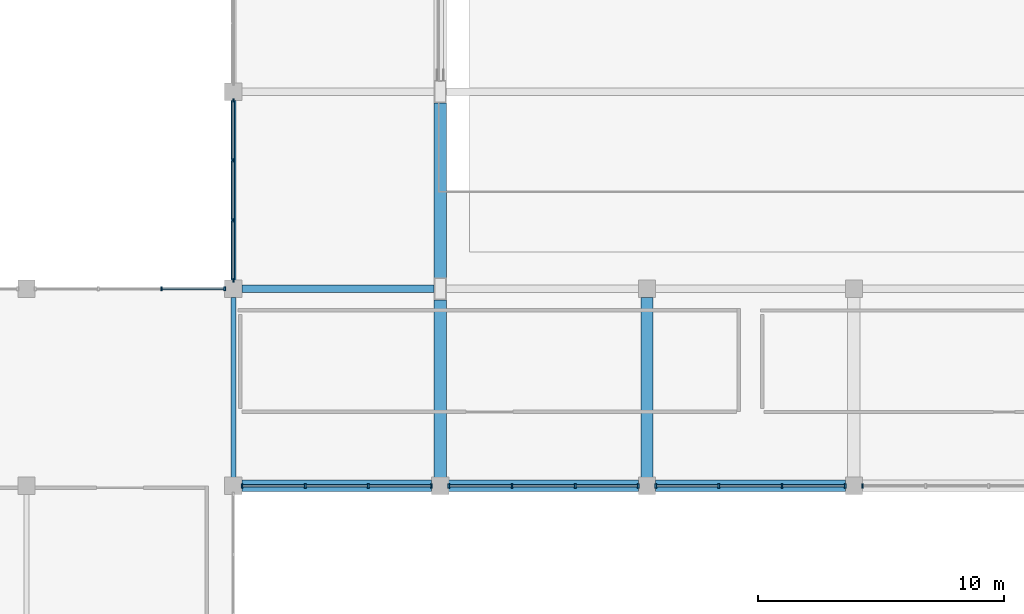
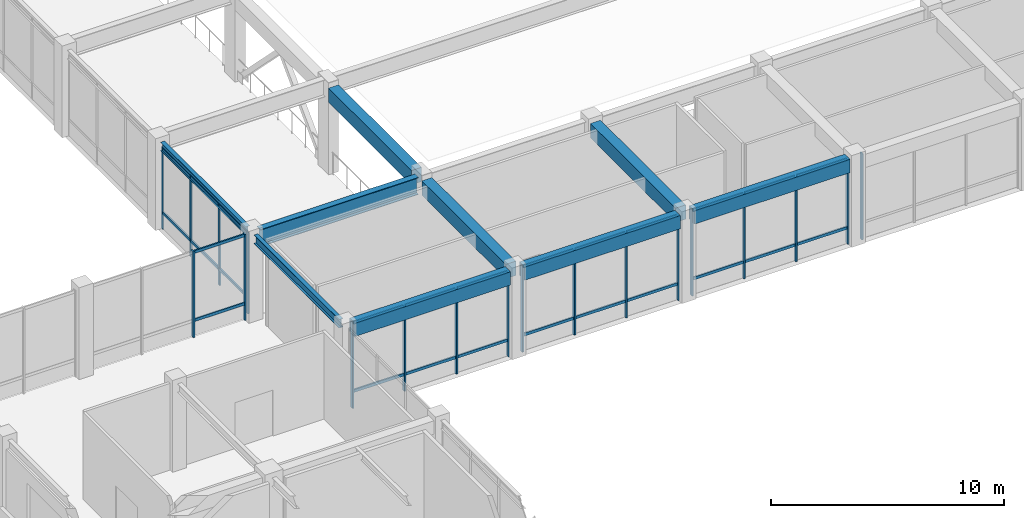
# One storey, part 32 of 76: 45 members, 9 beams, 6 elements without a shape of their own.
"""IFC4 building model written with IfcOpenShell, lengths in metres."""

from ifc_helpers import new_model, si_unit, direction, frame, origin, origin_2d, place, context, subcontext, project, spatial, rectangle, i_section, extrude, material, layer, layer_set, material_profile, profile_set, type_object, element, aggregate, save


model = new_model("IFC4")

# Units and contexts
model_context = context("Model", 3, precision=1e-05, world=origin(), true_north=direction((0.0, 1.0)))
body_context = subcontext(model_context, "Body", "Model", "MODEL_VIEW")
ifc_project = project(units=[si_unit("LENGTHUNIT", "METRE"), si_unit("AREAUNIT", "SQUARE_METRE"), si_unit("VOLUMEUNIT", "CUBIC_METRE"), si_unit("PLANEANGLEUNIT", "RADIAN"), si_unit("MASSUNIT", "GRAM", prefix="KILO")], contexts=[model_context])

# Site, building, storey
site_placement = place(None, origin())
site = spatial("IfcSite", under=ifc_project, at=site_placement, CompositionType="ELEMENT")
building_placement = place(site_placement, origin())
building = spatial("IfcBuilding", under=site, at=building_placement, Name="Naruveol Harbour Congress Hotel", CompositionType="ELEMENT")
storey_placement = place(building_placement, frame((0.0, 0.0, 11.39990234375)))
storey = spatial("IfcBuildingStorey", under=building, at=storey_placement, Name="L02", CompositionType="ELEMENT", Elevation=11.39990234375)

# Beams
ifc_material_1 = material(Name="Concrete C40/50", Category="concrete")
ifc_material_profile_1 = material_profile(ifc_material_1, rectangle(XDim=0.5, YDim=0.75, at=origin_2d()), Name="RCB-500x750")
ifc_profile_set_1 = profile_set([ifc_material_profile_1], Name="Concrete C40/50")
beam_type_1 = type_object("IfcBeamType", Name="RC FLOOR GIRDER 500X750", PredefinedType="BEAM", material=ifc_profile_set_1)
beam_1_placement = place(storey_placement, frame((75.60009765625, 64.345947265625, 4.1650390625), z_axis=(0.0, 1.0, 0.0), x_axis=(-1.0, 0.0, 0.0)))
element("IfcBeam", 1, at=beam_1_placement, inside=storey, type_object=beam_type_1, Name="Transverse girder L03 CB3", PredefinedType="BEAM", context=body_context, shape_type="SweptSolid", body=[
    extrude(rectangle(XDim=0.5, YDim=0.75, at=origin_2d()), origin(), (0.0, 0.0, 1.0), 7.2080078125),
])
beam_2_placement = place(storey_placement, frame((75.60009765625, 72.446044921875, 4.1650390625), z_axis=(0.0, 1.0, 0.0), x_axis=(-1.0, 0.0, 0.0)))
element("IfcBeam", 2, at=beam_2_placement, inside=storey, type_object=beam_type_1, Name="Transverse girder L03 CB3", PredefinedType="BEAM", context=body_context, shape_type="SweptSolid", body=[
    extrude(rectangle(XDim=0.5, YDim=0.75, at=origin_2d()), origin(), (0.0, 0.0, 1.0), 7.10791015625),
])
beam_3_placement = place(storey_placement, frame((84.0, 64.345947265625, 4.1650390625), z_axis=(0.0, 1.0, 0.0), x_axis=(-1.0, 0.0, 0.0)))
element("IfcBeam", 3, at=beam_3_placement, inside=storey, type_object=beam_type_1, Name="Transverse girder L03 CB3", PredefinedType="BEAM", context=body_context, shape_type="SweptSolid", body=[
    extrude(rectangle(XDim=0.5, YDim=0.75, at=origin_2d()), origin(), (0.0, 0.0, 1.0), 7.30810546875),
])
ifc_material_2 = material(Name="Concrete C40/50", Category="concrete")
ifc_material_profile_2 = material_profile(ifc_material_2, rectangle(XDim=0.449951171875, YDim=0.699951171875, at=origin_2d()), Name="RCB-450x700")
ifc_profile_set_2 = profile_set([ifc_material_profile_2], Name="Concrete C40/50")
beam_type_2 = type_object("IfcBeamType", Name="RC SPANDREL BEAM 450X700", PredefinedType="SPANDREL", material=ifc_profile_set_2)
for number, where, z_axis, x_axis, name in (
    (4, (67.5458984375, 64.0, 4.190185546875), (1.0, 0.0, 0.0), (0.0, 1.0, 0.0), "Floor girder L03 SPB1"),
    (5, (75.946044921875, 64.0, 4.190185546875), (1.0, 0.0, 0.0), (0.0, 1.0, 0.0), "Floor girder L03 SPB1"),
    (6, (84.345947265625, 64.0, 4.190185546875), (1.0, 0.0, 0.0), (0.0, 1.0, 0.0), "Floor girder L03 SPB1"),
):
    element("IfcBeam", number, at=place(storey_placement, frame(where, z_axis=z_axis, x_axis=x_axis)), inside=storey, type_object=beam_type_2, Name=name, PredefinedType="SPANDREL", context=body_context, shape_type="SweptSolid", body=[
        extrude(rectangle(XDim=0.449951171875, YDim=0.699951171875, at=origin_2d()), origin(), (0.0, 0.0, 1.0), 7.7080078125),
    ])
ifc_material_3 = material(Name="Steel SN490", Category="steel")
ifc_material_profile_3 = material_profile(ifc_material_3, i_section(OverallWidth=0.300048828125, OverallDepth=0.89990234375, WebThickness=0.01611328125, FlangeThickness=0.028076171875, at=origin_2d()), Name="H-900x300x16x28")
ifc_profile_set_3 = profile_set([ifc_material_profile_3], Name="Steel SN490")
beam_type_3 = type_object("IfcBeamType", Name="STEEL BALLROOM GABLE GIRDER H900", PredefinedType="BEAM", material=ifc_profile_set_3)
beam_4_placement = place(storey_placement, frame((67.5458984375, 72.0, 4.090087890625), z_axis=(1.0, 0.0, 0.0), x_axis=(0.0, 1.0, 0.0)))
element("IfcBeam", 7, at=beam_4_placement, inside=storey, type_object=beam_type_3, Name="Ballroom west tie girder BG1", PredefinedType="BEAM", context=body_context, shape_type="SweptSolid", body=[
    extrude(i_section(OverallWidth=0.300048828125, OverallDepth=0.89990234375, WebThickness=0.01611328125, FlangeThickness=0.028076171875, at=origin_2d()), origin(), (0.0, 0.0, 1.0), 7.80810546875),
])
ifc_material_4 = material(Name="Steel SN490", Category="steel")
ifc_material_profile_4 = material_profile(ifc_material_4, i_section(OverallWidth=0.199951171875, OverallDepth=0.449951171875, WebThickness=0.009033203125, FlangeThickness=0.013916015625, at=origin_2d()), Name="H-450x200x9x14")
ifc_profile_set_4 = profile_set([ifc_material_profile_4], Name="Steel SN490")
beam_type_4 = type_object("IfcBeamType", Name="STEEL SPANDREL EDGE BEAM H450", PredefinedType="SPANDREL", material=ifc_profile_set_4)
for number, where, z_axis, x_axis, name in (
    (8, (67.199951171875, 64.345947265625, 4.315185546875), (0.0, 1.0, 0.0), (-1.0, 0.0, 0.0), "Transverse girder L03 SPB2"),
    (9, (67.199951171875, 72.345947265625, 4.315185546875), (0.0, 1.0, 0.0), (-1.0, 0.0, 0.0), "Transverse girder L03 SPB2"),
):
    element("IfcBeam", number, at=place(storey_placement, frame(where, z_axis=z_axis, x_axis=x_axis)), inside=storey, type_object=beam_type_4, Name=name, PredefinedType="SPANDREL", context=body_context, shape_type="SweptSolid", body=[
        extrude(i_section(OverallWidth=0.199951171875, OverallDepth=0.449951171875, WebThickness=0.009033203125, FlangeThickness=0.013916015625, at=origin_2d()), origin(), (0.0, 0.0, 1.0), 7.30810546875),
    ])

# Curtain wall, members
ifc_material_5 = material(Name="Low-E Curtain Wall System", Category="glass")
ifc_layer_1 = layer(ifc_material_5, 0.179931640625)
ifc_layer_set_1 = layer_set([ifc_layer_1], Name="Low-E Curtain Wall System")
curtain_wall_type_1 = type_object("IfcCurtainWallType", Name="UNITISED CURTAIN WALL CW-V2W-21 7300X4250", PredefinedType="USERDEFINED", material=ifc_layer_set_1)
curtain_wall_1_placement = place(storey_placement, origin())
curtain_wall_1 = element("IfcCurtainWall", 10, at=curtain_wall_1_placement, inside=storey, type_object=curtain_wall_type_1, Name="Unitised curtain wall CW-V2W-21 L02", ObjectType="UNITISED GLAZING", PredefinedType="USERDEFINED")
ifc_material_6 = material(Name="Anodised Aluminium 6063-T6", Category="aluminium")
ifc_material_profile_5 = material_profile(ifc_material_6, rectangle(XDim=0.06494140625, YDim=0.14990234375, at=origin_2d()), Name="ALU-65x150")
ifc_profile_set_5 = profile_set([ifc_material_profile_5], Name="Anodised Aluminium 6063-T6")
member_type_1 = type_object("IfcMemberType", Name="THERMAL ALUMINIUM MULLION 65X150", PredefinedType="MULLION", material=ifc_profile_set_5)
member_1_placement = place(storey_placement, frame((67.199951171875, 72.35009765625, 0.0), z_axis=(0.0, 0.0, 1.0), x_axis=(1.0, 0.0, 0.0)))
member_1 = element("IfcMember", 11, at=member_1_placement, type_object=member_type_1, Name="Curtain wall mullion CW-L02-0044-M0", PredefinedType="MULLION", context=body_context, shape_type="SweptSolid", body=[
    extrude(rectangle(XDim=0.06494140625, YDim=0.14990234375, at=origin_2d()), origin(), (0.0, 0.0, 1.0), 4.25),
])
member_2_placement = place(storey_placement, frame((67.199951171875, 74.783203125, 0.0), z_axis=(0.0, 0.0, 1.0), x_axis=(1.0, 0.0, 0.0)))
member_2 = element("IfcMember", 12, at=member_2_placement, type_object=member_type_1, Name="Curtain wall mullion CW-L02-0044-M1", PredefinedType="MULLION", context=body_context, shape_type="SweptSolid", body=[
    extrude(rectangle(XDim=0.06494140625, YDim=0.14990234375, at=origin_2d()), origin(), (0.0, 0.0, 1.0), 4.25),
])
member_3_placement = place(storey_placement, frame((67.199951171875, 77.216796875, 0.0), z_axis=(0.0, 0.0, 1.0), x_axis=(1.0, 0.0, 0.0)))
member_3 = element("IfcMember", 13, at=member_3_placement, type_object=member_type_1, Name="Curtain wall mullion CW-L02-0044-M2", PredefinedType="MULLION", context=body_context, shape_type="SweptSolid", body=[
    extrude(rectangle(XDim=0.06494140625, YDim=0.14990234375, at=origin_2d()), origin(), (0.0, 0.0, 1.0), 4.25),
])
member_4_placement = place(storey_placement, frame((67.199951171875, 79.64990234375, 0.0), z_axis=(0.0, 0.0, 1.0), x_axis=(1.0, 0.0, 0.0)))
member_4 = element("IfcMember", 14, at=member_4_placement, type_object=member_type_1, Name="Curtain wall mullion CW-L02-0044-M3", PredefinedType="MULLION", context=body_context, shape_type="SweptSolid", body=[
    extrude(rectangle(XDim=0.06494140625, YDim=0.14990234375, at=origin_2d()), origin(), (0.0, 0.0, 1.0), 4.25),
])

ifc_material_7 = material(Name="Low-E Curtain Wall System", Category="glass")
ifc_layer_2 = layer(ifc_material_7, 0.179931640625)
ifc_layer_set_2 = layer_set([ifc_layer_2], Name="Low-E Curtain Wall System")
curtain_wall_type_2 = type_object("IfcCurtainWallType", Name="UNITISED CURTAIN WALL CW-V4NF-40 7700X4500", PredefinedType="USERDEFINED", material=ifc_layer_set_2)
curtain_wall_2_placement = place(storey_placement, origin())
curtain_wall_2 = element("IfcCurtainWall", 15, at=curtain_wall_2_placement, inside=storey, type_object=curtain_wall_type_2, Name="Unitised curtain wall CW-V4NF-40 L02", ObjectType="UNITISED GLAZING", PredefinedType="USERDEFINED")
ifc_material_8 = material(Name="Anodised Aluminium 6063-T6", Category="aluminium")
ifc_material_profile_6 = material_profile(ifc_material_8, rectangle(XDim=0.074951171875, YDim=0.179931640625, at=origin_2d()), Name="ALU-75x180")
ifc_profile_set_6 = profile_set([ifc_material_profile_6], Name="Anodised Aluminium 6063-T6")
member_type_2 = type_object("IfcMemberType", Name="THERMAL ALUMINIUM MULLION 75X180", PredefinedType="MULLION", material=ifc_profile_set_6)
member_5_placement = place(storey_placement, frame((64.283203125, 72.0, 0.0), z_axis=(0.0, 0.0, 1.0), x_axis=(1.0, 0.0, 0.0)))
member_5 = element("IfcMember", 16, at=member_5_placement, type_object=member_type_2, Name="Curtain wall mullion CW-L02-0103-M2", PredefinedType="MULLION", context=body_context, shape_type="SweptSolid", body=[
    extrude(rectangle(XDim=0.074951171875, YDim=0.179931640625, at=origin_2d()), origin(), (0.0, 0.0, 1.0), 4.5),
])
member_6_placement = place(storey_placement, frame((66.85009765625, 72.0, 0.0), z_axis=(0.0, 0.0, 1.0), x_axis=(1.0, 0.0, 0.0)))
member_6 = element("IfcMember", 17, at=member_6_placement, type_object=member_type_2, Name="Curtain wall mullion CW-L02-0103-M3", PredefinedType="MULLION", context=body_context, shape_type="SweptSolid", body=[
    extrude(rectangle(XDim=0.074951171875, YDim=0.179931640625, at=origin_2d()), origin(), (0.0, 0.0, 1.0), 4.5),
])

ifc_material_9 = material(Name="Low-E Curtain Wall System", Category="glass")
ifc_layer_3 = layer(ifc_material_9, 0.179931640625)
ifc_layer_set_3 = layer_set([ifc_layer_3], Name="Low-E Curtain Wall System")
curtain_wall_type_3 = type_object("IfcCurtainWallType", Name="UNITISED CURTAIN WALL CW-CTN-41 7700X4500", PredefinedType="USERDEFINED", material=ifc_layer_set_3)
curtain_wall_3_placement = place(storey_placement, origin())
curtain_wall_3 = element("IfcCurtainWall", 18, at=curtain_wall_3_placement, inside=storey, type_object=curtain_wall_type_3, Name="Unitised curtain wall CW-CTN-41 L02", ObjectType="UNITISED GLAZING", PredefinedType="USERDEFINED")
member_7_placement = place(storey_placement, frame((75.25, 64.0, 0.0), z_axis=(0.0, 0.0, 1.0), x_axis=(1.0, 0.0, 0.0)))
member_7 = element("IfcMember", 19, at=member_7_placement, type_object=member_type_2, Name="Curtain wall mullion CW-L02-0104-M0", PredefinedType="MULLION", context=body_context, shape_type="SweptSolid", body=[
    extrude(rectangle(XDim=0.074951171875, YDim=0.179931640625, at=origin_2d()), origin(), (0.0, 0.0, 1.0), 4.5),
])
member_8_placement = place(storey_placement, frame((72.683349609375, 64.0, 0.0), z_axis=(0.0, 0.0, 1.0), x_axis=(1.0, 0.0, 0.0)))
member_8 = element("IfcMember", 20, at=member_8_placement, type_object=member_type_2, Name="Curtain wall mullion CW-L02-0104-M1", PredefinedType="MULLION", context=body_context, shape_type="SweptSolid", body=[
    extrude(rectangle(XDim=0.074951171875, YDim=0.179931640625, at=origin_2d()), origin(), (0.0, 0.0, 1.0), 4.5),
])
member_9_placement = place(storey_placement, frame((70.11669921875, 64.0, 0.0), z_axis=(0.0, 0.0, 1.0), x_axis=(1.0, 0.0, 0.0)))
member_9 = element("IfcMember", 21, at=member_9_placement, type_object=member_type_2, Name="Curtain wall mullion CW-L02-0104-M2", PredefinedType="MULLION", context=body_context, shape_type="SweptSolid", body=[
    extrude(rectangle(XDim=0.074951171875, YDim=0.179931640625, at=origin_2d()), origin(), (0.0, 0.0, 1.0), 4.5),
])
member_10_placement = place(storey_placement, frame((67.550048828125, 64.0, 0.0), z_axis=(0.0, 0.0, 1.0), x_axis=(1.0, 0.0, 0.0)))
member_10 = element("IfcMember", 22, at=member_10_placement, type_object=member_type_2, Name="Curtain wall mullion CW-L02-0104-M3", PredefinedType="MULLION", context=body_context, shape_type="SweptSolid", body=[
    extrude(rectangle(XDim=0.074951171875, YDim=0.179931640625, at=origin_2d()), origin(), (0.0, 0.0, 1.0), 4.5),
])

curtain_wall_4_placement = place(storey_placement, origin())
curtain_wall_4 = element("IfcCurtainWall", 23, at=curtain_wall_4_placement, inside=storey, type_object=curtain_wall_type_3, Name="Unitised curtain wall CW-CTN-41 L02", ObjectType="UNITISED GLAZING", PredefinedType="USERDEFINED")
member_11_placement = place(storey_placement, frame((83.64990234375, 64.0, 0.0), z_axis=(0.0, 0.0, 1.0), x_axis=(1.0, 0.0, 0.0)))
member_11 = element("IfcMember", 24, at=member_11_placement, type_object=member_type_2, Name="Curtain wall mullion CW-L02-0106-M0", PredefinedType="MULLION", context=body_context, shape_type="SweptSolid", body=[
    extrude(rectangle(XDim=0.074951171875, YDim=0.179931640625, at=origin_2d()), origin(), (0.0, 0.0, 1.0), 4.5),
])
member_12_placement = place(storey_placement, frame((81.083251953125, 64.0, 0.0), z_axis=(0.0, 0.0, 1.0), x_axis=(1.0, 0.0, 0.0)))
member_12 = element("IfcMember", 25, at=member_12_placement, type_object=member_type_2, Name="Curtain wall mullion CW-L02-0106-M1", PredefinedType="MULLION", context=body_context, shape_type="SweptSolid", body=[
    extrude(rectangle(XDim=0.074951171875, YDim=0.179931640625, at=origin_2d()), origin(), (0.0, 0.0, 1.0), 4.5),
])
member_13_placement = place(storey_placement, frame((78.5166015625, 64.0, 0.0), z_axis=(0.0, 0.0, 1.0), x_axis=(1.0, 0.0, 0.0)))
member_13 = element("IfcMember", 26, at=member_13_placement, type_object=member_type_2, Name="Curtain wall mullion CW-L02-0106-M2", PredefinedType="MULLION", context=body_context, shape_type="SweptSolid", body=[
    extrude(rectangle(XDim=0.074951171875, YDim=0.179931640625, at=origin_2d()), origin(), (0.0, 0.0, 1.0), 4.5),
])
member_14_placement = place(storey_placement, frame((75.949951171875, 64.0, 0.0), z_axis=(0.0, 0.0, 1.0), x_axis=(1.0, 0.0, 0.0)))
member_14 = element("IfcMember", 27, at=member_14_placement, type_object=member_type_2, Name="Curtain wall mullion CW-L02-0106-M3", PredefinedType="MULLION", context=body_context, shape_type="SweptSolid", body=[
    extrude(rectangle(XDim=0.074951171875, YDim=0.179931640625, at=origin_2d()), origin(), (0.0, 0.0, 1.0), 4.5),
])

curtain_wall_5_placement = place(storey_placement, origin())
curtain_wall_5 = element("IfcCurtainWall", 28, at=curtain_wall_5_placement, inside=storey, type_object=curtain_wall_type_3, Name="Unitised curtain wall CW-CTN-41 L02", ObjectType="UNITISED GLAZING", PredefinedType="USERDEFINED")
member_15_placement = place(storey_placement, frame((92.050048828125, 64.0, 0.0), z_axis=(0.0, 0.0, 1.0), x_axis=(1.0, 0.0, 0.0)))
member_15 = element("IfcMember", 29, at=member_15_placement, type_object=member_type_2, Name="Curtain wall mullion CW-L02-0108-M0", PredefinedType="MULLION", context=body_context, shape_type="SweptSolid", body=[
    extrude(rectangle(XDim=0.074951171875, YDim=0.179931640625, at=origin_2d()), origin(), (0.0, 0.0, 1.0), 4.5),
])
member_16_placement = place(storey_placement, frame((89.4833984375, 64.0, 0.0), z_axis=(0.0, 0.0, 1.0), x_axis=(1.0, 0.0, 0.0)))
member_16 = element("IfcMember", 30, at=member_16_placement, type_object=member_type_2, Name="Curtain wall mullion CW-L02-0108-M1", PredefinedType="MULLION", context=body_context, shape_type="SweptSolid", body=[
    extrude(rectangle(XDim=0.074951171875, YDim=0.179931640625, at=origin_2d()), origin(), (0.0, 0.0, 1.0), 4.5),
])
member_17_placement = place(storey_placement, frame((86.916748046875, 64.0, 0.0), z_axis=(0.0, 0.0, 1.0), x_axis=(1.0, 0.0, 0.0)))
member_17 = element("IfcMember", 31, at=member_17_placement, type_object=member_type_2, Name="Curtain wall mullion CW-L02-0108-M2", PredefinedType="MULLION", context=body_context, shape_type="SweptSolid", body=[
    extrude(rectangle(XDim=0.074951171875, YDim=0.179931640625, at=origin_2d()), origin(), (0.0, 0.0, 1.0), 4.5),
])
member_18_placement = place(storey_placement, frame((84.35009765625, 64.0, 0.0), z_axis=(0.0, 0.0, 1.0), x_axis=(1.0, 0.0, 0.0)))
member_18 = element("IfcMember", 32, at=member_18_placement, type_object=member_type_2, Name="Curtain wall mullion CW-L02-0108-M3", PredefinedType="MULLION", context=body_context, shape_type="SweptSolid", body=[
    extrude(rectangle(XDim=0.074951171875, YDim=0.179931640625, at=origin_2d()), origin(), (0.0, 0.0, 1.0), 4.5),
])

# Curtain wall, member
curtain_wall_6_placement = place(storey_placement, origin())
curtain_wall_6 = element("IfcCurtainWall", 33, at=curtain_wall_6_placement, inside=storey, type_object=curtain_wall_type_3, Name="Unitised curtain wall CW-CTN-41 L02", ObjectType="UNITISED GLAZING", PredefinedType="USERDEFINED")
member_19_placement = place(storey_placement, frame((92.75, 64.0, 0.0), z_axis=(0.0, 0.0, 1.0), x_axis=(1.0, 0.0, 0.0)))
member_19 = element("IfcMember", 34, at=member_19_placement, type_object=member_type_2, Name="Curtain wall mullion CW-L02-0110-M3", PredefinedType="MULLION", context=body_context, shape_type="SweptSolid", body=[
    extrude(rectangle(XDim=0.074951171875, YDim=0.179931640625, at=origin_2d()), origin(), (0.0, 0.0, 1.0), 4.5),
])
aggregate(curtain_wall_6, [member_19])

# Member
ifc_material_10 = material(Name="Anodised Aluminium 6063-T6", Category="aluminium")
ifc_material_profile_7 = material_profile(ifc_material_10, rectangle(XDim=0.074951171875, YDim=0.14990234375, at=origin_2d()), Name="ALU-75x150")
ifc_profile_set_7 = profile_set([ifc_material_profile_7], Name="Anodised Aluminium 6063-T6")
member_type_3 = type_object("IfcMemberType", Name="THERMAL ALUMINIUM TRANSOM 75X150", PredefinedType="USERDEFINED", material=ifc_profile_set_7)
member_20_placement = place(storey_placement, frame((67.199951171875, 72.389892578125, 0.85009765625), z_axis=(0.0, 1.0, 0.0), x_axis=(-1.0, 0.0, 0.0)))
member_20 = element("IfcMember", 35, at=member_20_placement, type_object=member_type_3, Name="Curtain wall transom CW-L02-0044-T0.1", ObjectType="TRANSOM", PredefinedType="USERDEFINED", context=body_context, shape_type="SweptSolid", body=[
    extrude(rectangle(XDim=0.074951171875, YDim=0.14990234375, at=origin_2d()), origin(), (0.0, 0.0, 1.0), 2.353515625),
])

member_21_placement = place(storey_placement, frame((67.199951171875, 72.389892578125, 4.170166015625), z_axis=(0.0, 1.0, 0.0), x_axis=(-1.0, 0.0, 0.0)))
member_21 = element("IfcMember", 36, at=member_21_placement, type_object=member_type_3, Name="Curtain wall transom CW-L02-0044-T0.2", ObjectType="TRANSOM", PredefinedType="USERDEFINED", context=body_context, shape_type="SweptSolid", body=[
    extrude(rectangle(XDim=0.074951171875, YDim=0.14990234375, at=origin_2d()), origin(), (0.0, 0.0, 1.0), 2.353515625),
])

member_22_placement = place(storey_placement, frame((67.199951171875, 74.8232421875, 0.85009765625), z_axis=(0.0, 1.0, 0.0), x_axis=(-1.0, 0.0, 0.0)))
member_22 = element("IfcMember", 37, at=member_22_placement, type_object=member_type_3, Name="Curtain wall transom CW-L02-0044-T1.1", ObjectType="TRANSOM", PredefinedType="USERDEFINED", context=body_context, shape_type="SweptSolid", body=[
    extrude(rectangle(XDim=0.074951171875, YDim=0.14990234375, at=origin_2d()), origin(), (0.0, 0.0, 1.0), 2.353515625),
])

member_23_placement = place(storey_placement, frame((67.199951171875, 74.8232421875, 4.170166015625), z_axis=(0.0, 1.0, 0.0), x_axis=(-1.0, 0.0, 0.0)))
member_23 = element("IfcMember", 38, at=member_23_placement, type_object=member_type_3, Name="Curtain wall transom CW-L02-0044-T1.2", ObjectType="TRANSOM", PredefinedType="USERDEFINED", context=body_context, shape_type="SweptSolid", body=[
    extrude(rectangle(XDim=0.074951171875, YDim=0.14990234375, at=origin_2d()), origin(), (0.0, 0.0, 1.0), 2.353515625),
])

member_24_placement = place(storey_placement, frame((67.199951171875, 77.256591796875, 0.85009765625), z_axis=(0.0, 1.0, 0.0), x_axis=(-1.0, 0.0, 0.0)))
member_24 = element("IfcMember", 39, at=member_24_placement, type_object=member_type_3, Name="Curtain wall transom CW-L02-0044-T2.1", ObjectType="TRANSOM", PredefinedType="USERDEFINED", context=body_context, shape_type="SweptSolid", body=[
    extrude(rectangle(XDim=0.074951171875, YDim=0.14990234375, at=origin_2d()), origin(), (0.0, 0.0, 1.0), 2.353515625),
])

member_25_placement = place(storey_placement, frame((67.199951171875, 77.256591796875, 4.170166015625), z_axis=(0.0, 1.0, 0.0), x_axis=(-1.0, 0.0, 0.0)))
member_25 = element("IfcMember", 40, at=member_25_placement, type_object=member_type_3, Name="Curtain wall transom CW-L02-0044-T2.2", ObjectType="TRANSOM", PredefinedType="USERDEFINED", context=body_context, shape_type="SweptSolid", body=[
    extrude(rectangle(XDim=0.074951171875, YDim=0.14990234375, at=origin_2d()), origin(), (0.0, 0.0, 1.0), 2.353515625),
])

aggregate(curtain_wall_1, [member_1, member_2, member_3, member_4, member_20, member_21, member_22, member_23, member_24, member_25])

member_26_placement = place(storey_placement, frame((64.3232421875, 72.0, 0.85009765625), z_axis=(1.0, 0.0, 0.0), x_axis=(0.0, 1.0, 0.0)))
member_26 = element("IfcMember", 41, at=member_26_placement, type_object=member_type_3, Name="Curtain wall transom CW-L02-0103-T2.1", ObjectType="TRANSOM", PredefinedType="USERDEFINED", context=body_context, shape_type="SweptSolid", body=[
    extrude(rectangle(XDim=0.074951171875, YDim=0.14990234375, at=origin_2d()), origin(), (0.0, 0.0, 1.0), 2.48681640625),
])

member_27_placement = place(storey_placement, frame((64.3232421875, 72.0, 4.420166015625), z_axis=(1.0, 0.0, 0.0), x_axis=(0.0, 1.0, 0.0)))
member_27 = element("IfcMember", 42, at=member_27_placement, type_object=member_type_3, Name="Curtain wall transom CW-L02-0103-T2.2", ObjectType="TRANSOM", PredefinedType="USERDEFINED", context=body_context, shape_type="SweptSolid", body=[
    extrude(rectangle(XDim=0.074951171875, YDim=0.14990234375, at=origin_2d()), origin(), (0.0, 0.0, 1.0), 2.48681640625),
])

aggregate(curtain_wall_2, [member_5, member_6, member_26, member_27])

member_28_placement = place(storey_placement, frame((75.2099609375, 64.0, 0.85009765625), z_axis=(-1.0, 0.0, 0.0), x_axis=(0.0, -1.0, 0.0)))
member_28 = element("IfcMember", 43, at=member_28_placement, type_object=member_type_3, Name="Curtain wall transom CW-L02-0104-T0.1", ObjectType="TRANSOM", PredefinedType="USERDEFINED", context=body_context, shape_type="SweptSolid", body=[
    extrude(rectangle(XDim=0.074951171875, YDim=0.14990234375, at=origin_2d()), origin(), (0.0, 0.0, 1.0), 2.486572265625),
])

member_29_placement = place(storey_placement, frame((75.2099609375, 64.0, 4.420166015625), z_axis=(-1.0, 0.0, 0.0), x_axis=(0.0, -1.0, 0.0)))
member_29 = element("IfcMember", 44, at=member_29_placement, type_object=member_type_3, Name="Curtain wall transom CW-L02-0104-T0.2", ObjectType="TRANSOM", PredefinedType="USERDEFINED", context=body_context, shape_type="SweptSolid", body=[
    extrude(rectangle(XDim=0.074951171875, YDim=0.14990234375, at=origin_2d()), origin(), (0.0, 0.0, 1.0), 2.486572265625),
])

member_30_placement = place(storey_placement, frame((72.643310546875, 64.0, 0.85009765625), z_axis=(-1.0, 0.0, 0.0), x_axis=(0.0, -1.0, 0.0)))
member_30 = element("IfcMember", 45, at=member_30_placement, type_object=member_type_3, Name="Curtain wall transom CW-L02-0104-T1.1", ObjectType="TRANSOM", PredefinedType="USERDEFINED", context=body_context, shape_type="SweptSolid", body=[
    extrude(rectangle(XDim=0.074951171875, YDim=0.14990234375, at=origin_2d()), origin(), (0.0, 0.0, 1.0), 2.486572265625),
])

member_31_placement = place(storey_placement, frame((72.643310546875, 64.0, 4.420166015625), z_axis=(-1.0, 0.0, 0.0), x_axis=(0.0, -1.0, 0.0)))
member_31 = element("IfcMember", 46, at=member_31_placement, type_object=member_type_3, Name="Curtain wall transom CW-L02-0104-T1.2", ObjectType="TRANSOM", PredefinedType="USERDEFINED", context=body_context, shape_type="SweptSolid", body=[
    extrude(rectangle(XDim=0.074951171875, YDim=0.14990234375, at=origin_2d()), origin(), (0.0, 0.0, 1.0), 2.486572265625),
])

member_32_placement = place(storey_placement, frame((70.07666015625, 64.0, 0.85009765625), z_axis=(-1.0, 0.0, 0.0), x_axis=(0.0, -1.0, 0.0)))
member_32 = element("IfcMember", 47, at=member_32_placement, type_object=member_type_3, Name="Curtain wall transom CW-L02-0104-T2.1", ObjectType="TRANSOM", PredefinedType="USERDEFINED", context=body_context, shape_type="SweptSolid", body=[
    extrude(rectangle(XDim=0.074951171875, YDim=0.14990234375, at=origin_2d()), origin(), (0.0, 0.0, 1.0), 2.486572265625),
])

member_33_placement = place(storey_placement, frame((70.07666015625, 64.0, 4.420166015625), z_axis=(-1.0, 0.0, 0.0), x_axis=(0.0, -1.0, 0.0)))
member_33 = element("IfcMember", 48, at=member_33_placement, type_object=member_type_3, Name="Curtain wall transom CW-L02-0104-T2.2", ObjectType="TRANSOM", PredefinedType="USERDEFINED", context=body_context, shape_type="SweptSolid", body=[
    extrude(rectangle(XDim=0.074951171875, YDim=0.14990234375, at=origin_2d()), origin(), (0.0, 0.0, 1.0), 2.486572265625),
])

aggregate(curtain_wall_3, [member_7, member_8, member_9, member_10, member_28, member_29, member_30, member_31, member_32, member_33])

member_34_placement = place(storey_placement, frame((83.610107421875, 64.0, 0.85009765625), z_axis=(-1.0, 0.0, 0.0), x_axis=(0.0, -1.0, 0.0)))
member_34 = element("IfcMember", 49, at=member_34_placement, type_object=member_type_3, Name="Curtain wall transom CW-L02-0106-T0.1", ObjectType="TRANSOM", PredefinedType="USERDEFINED", context=body_context, shape_type="SweptSolid", body=[
    extrude(rectangle(XDim=0.074951171875, YDim=0.14990234375, at=origin_2d()), origin(), (0.0, 0.0, 1.0), 2.48681640625),
])

member_35_placement = place(storey_placement, frame((83.610107421875, 64.0, 4.420166015625), z_axis=(-1.0, 0.0, 0.0), x_axis=(0.0, -1.0, 0.0)))
member_35 = element("IfcMember", 50, at=member_35_placement, type_object=member_type_3, Name="Curtain wall transom CW-L02-0106-T0.2", ObjectType="TRANSOM", PredefinedType="USERDEFINED", context=body_context, shape_type="SweptSolid", body=[
    extrude(rectangle(XDim=0.074951171875, YDim=0.14990234375, at=origin_2d()), origin(), (0.0, 0.0, 1.0), 2.48681640625),
])

member_36_placement = place(storey_placement, frame((81.043212890625, 64.0, 0.85009765625), z_axis=(-1.0, 0.0, 0.0), x_axis=(0.0, -1.0, 0.0)))
member_36 = element("IfcMember", 51, at=member_36_placement, type_object=member_type_3, Name="Curtain wall transom CW-L02-0106-T1.1", ObjectType="TRANSOM", PredefinedType="USERDEFINED", context=body_context, shape_type="SweptSolid", body=[
    extrude(rectangle(XDim=0.074951171875, YDim=0.14990234375, at=origin_2d()), origin(), (0.0, 0.0, 1.0), 2.486572265625),
])

member_37_placement = place(storey_placement, frame((81.043212890625, 64.0, 4.420166015625), z_axis=(-1.0, 0.0, 0.0), x_axis=(0.0, -1.0, 0.0)))
member_37 = element("IfcMember", 52, at=member_37_placement, type_object=member_type_3, Name="Curtain wall transom CW-L02-0106-T1.2", ObjectType="TRANSOM", PredefinedType="USERDEFINED", context=body_context, shape_type="SweptSolid", body=[
    extrude(rectangle(XDim=0.074951171875, YDim=0.14990234375, at=origin_2d()), origin(), (0.0, 0.0, 1.0), 2.486572265625),
])

member_38_placement = place(storey_placement, frame((78.476806640625, 64.0, 0.85009765625), z_axis=(-1.0, 0.0, 0.0), x_axis=(0.0, -1.0, 0.0)))
member_38 = element("IfcMember", 53, at=member_38_placement, type_object=member_type_3, Name="Curtain wall transom CW-L02-0106-T2.1", ObjectType="TRANSOM", PredefinedType="USERDEFINED", context=body_context, shape_type="SweptSolid", body=[
    extrude(rectangle(XDim=0.074951171875, YDim=0.14990234375, at=origin_2d()), origin(), (0.0, 0.0, 1.0), 2.48681640625),
])

member_39_placement = place(storey_placement, frame((78.476806640625, 64.0, 4.420166015625), z_axis=(-1.0, 0.0, 0.0), x_axis=(0.0, -1.0, 0.0)))
member_39 = element("IfcMember", 54, at=member_39_placement, type_object=member_type_3, Name="Curtain wall transom CW-L02-0106-T2.2", ObjectType="TRANSOM", PredefinedType="USERDEFINED", context=body_context, shape_type="SweptSolid", body=[
    extrude(rectangle(XDim=0.074951171875, YDim=0.14990234375, at=origin_2d()), origin(), (0.0, 0.0, 1.0), 2.48681640625),
])

aggregate(curtain_wall_4, [member_11, member_12, member_13, member_14, member_34, member_35, member_36, member_37, member_38, member_39])

member_40_placement = place(storey_placement, frame((92.010009765625, 64.0, 0.85009765625), z_axis=(-1.0, 0.0, 0.0), x_axis=(0.0, -1.0, 0.0)))
member_40 = element("IfcMember", 55, at=member_40_placement, type_object=member_type_3, Name="Curtain wall transom CW-L02-0108-T0.1", ObjectType="TRANSOM", PredefinedType="USERDEFINED", context=body_context, shape_type="SweptSolid", body=[
    extrude(rectangle(XDim=0.074951171875, YDim=0.14990234375, at=origin_2d()), origin(), (0.0, 0.0, 1.0), 2.48681640625),
])

member_41_placement = place(storey_placement, frame((92.010009765625, 64.0, 4.420166015625), z_axis=(-1.0, 0.0, 0.0), x_axis=(0.0, -1.0, 0.0)))
member_41 = element("IfcMember", 56, at=member_41_placement, type_object=member_type_3, Name="Curtain wall transom CW-L02-0108-T0.2", ObjectType="TRANSOM", PredefinedType="USERDEFINED", context=body_context, shape_type="SweptSolid", body=[
    extrude(rectangle(XDim=0.074951171875, YDim=0.14990234375, at=origin_2d()), origin(), (0.0, 0.0, 1.0), 2.48681640625),
])

member_42_placement = place(storey_placement, frame((89.443359375, 64.0, 0.85009765625), z_axis=(-1.0, 0.0, 0.0), x_axis=(0.0, -1.0, 0.0)))
member_42 = element("IfcMember", 57, at=member_42_placement, type_object=member_type_3, Name="Curtain wall transom CW-L02-0108-T1.1", ObjectType="TRANSOM", PredefinedType="USERDEFINED", context=body_context, shape_type="SweptSolid", body=[
    extrude(rectangle(XDim=0.074951171875, YDim=0.14990234375, at=origin_2d()), origin(), (0.0, 0.0, 1.0), 2.486572265625),
])

member_43_placement = place(storey_placement, frame((89.443359375, 64.0, 4.420166015625), z_axis=(-1.0, 0.0, 0.0), x_axis=(0.0, -1.0, 0.0)))
member_43 = element("IfcMember", 58, at=member_43_placement, type_object=member_type_3, Name="Curtain wall transom CW-L02-0108-T1.2", ObjectType="TRANSOM", PredefinedType="USERDEFINED", context=body_context, shape_type="SweptSolid", body=[
    extrude(rectangle(XDim=0.074951171875, YDim=0.14990234375, at=origin_2d()), origin(), (0.0, 0.0, 1.0), 2.486572265625),
])

member_44_placement = place(storey_placement, frame((86.876708984375, 64.0, 0.85009765625), z_axis=(-1.0, 0.0, 0.0), x_axis=(0.0, -1.0, 0.0)))
member_44 = element("IfcMember", 59, at=member_44_placement, type_object=member_type_3, Name="Curtain wall transom CW-L02-0108-T2.1", ObjectType="TRANSOM", PredefinedType="USERDEFINED", context=body_context, shape_type="SweptSolid", body=[
    extrude(rectangle(XDim=0.074951171875, YDim=0.14990234375, at=origin_2d()), origin(), (0.0, 0.0, 1.0), 2.48681640625),
])

member_45_placement = place(storey_placement, frame((86.876708984375, 64.0, 4.420166015625), z_axis=(-1.0, 0.0, 0.0), x_axis=(0.0, -1.0, 0.0)))
member_45 = element("IfcMember", 60, at=member_45_placement, type_object=member_type_3, Name="Curtain wall transom CW-L02-0108-T2.2", ObjectType="TRANSOM", PredefinedType="USERDEFINED", context=body_context, shape_type="SweptSolid", body=[
    extrude(rectangle(XDim=0.074951171875, YDim=0.14990234375, at=origin_2d()), origin(), (0.0, 0.0, 1.0), 2.48681640625),
])

aggregate(curtain_wall_5, [member_15, member_16, member_17, member_18, member_40, member_41, member_42, member_43, member_44, member_45])

save(model, "model.ifc")
